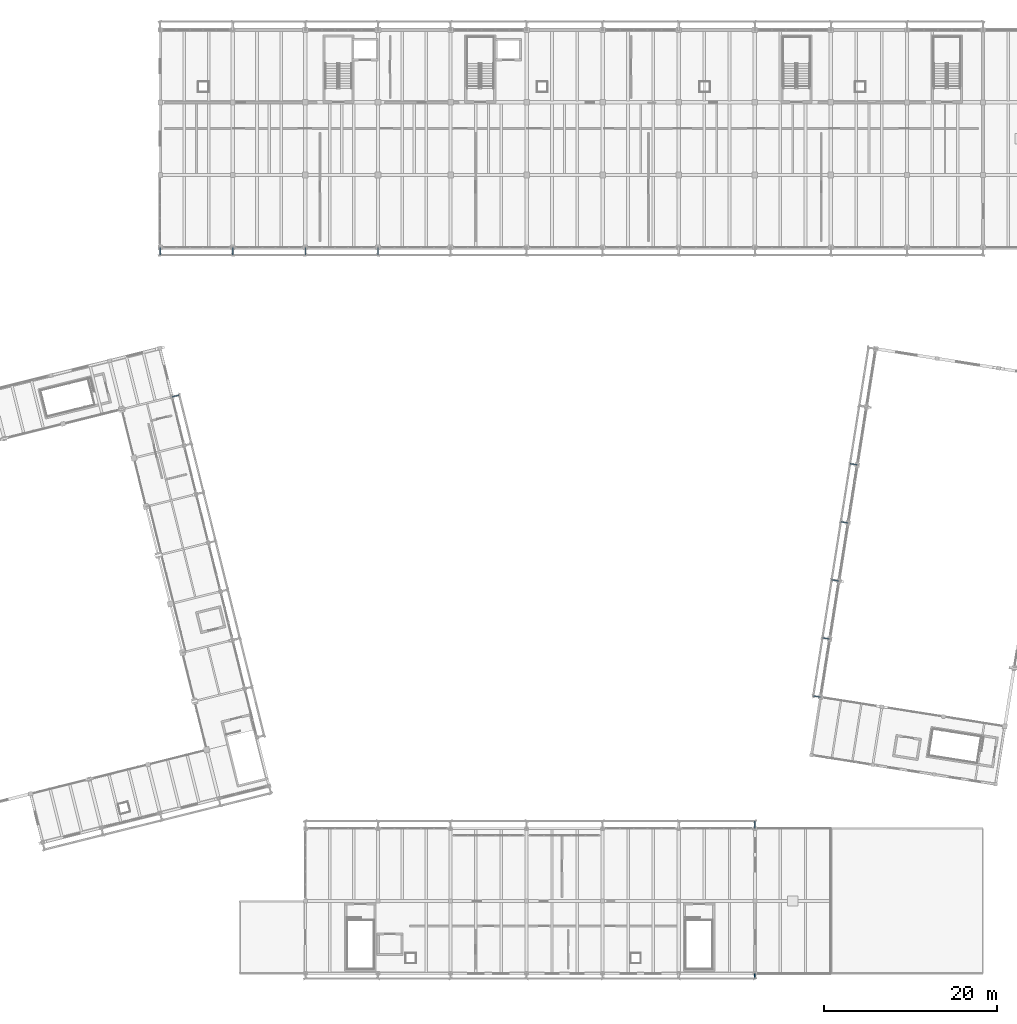
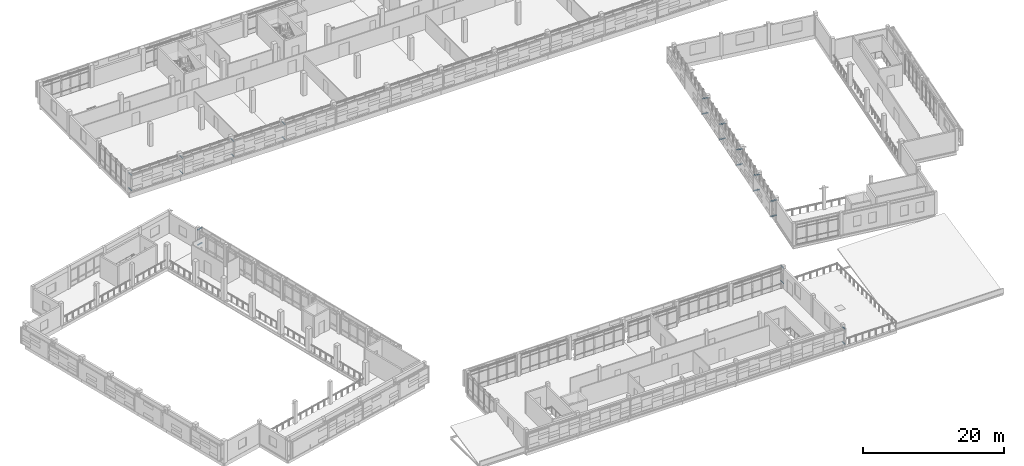
# One storey, part 80 of 117: 24 members.
"""IFC4 building model written with IfcOpenShell, lengths in metres."""

import ifcopenshell
import ifcopenshell.guid

model = None  # the IFC model being written
_history = None  # IfcOwnerHistory: only IFC2X3 demands one
_inside = {}  # id of a spatial element -> (the spatial element, [elements in it])
_under = {}  # id of a project, library or spatial element -> (it, [spatial elements below it])
_declared = {}  # id of a project -> (the project, [libraries it declares])
_typed = {}  # id of a type object -> (the type object, [elements of that type])
_made_of = {}  # id of a material, layer set ... -> (it, [elements and type objects made of it])


def new_model(schema):
    """Start an empty IFC model of exactly this schema.

    Asked for "IFC4X3", IfcOpenShell would pick the latest addendum, in which some entities
    have other attributes; the version numbers below select the first issue.
    IFC2X3 requires an IfcOwnerHistory on every rooted entity: one is made here for all.
    """
    global model, _history
    if schema == "IFC4X3":
        model = ifcopenshell.file(schema_version=(4, 3, 0, 0))
    else:
        model = ifcopenshell.file(schema=schema)
    _inside.clear()
    _under.clear()
    _declared.clear()
    _typed.clear()
    _made_of.clear()
    _history = None
    if model.schema == "IFC2X3":
        org = make("IfcOrganization", Name="unknown")
        user = make(
            "IfcPersonAndOrganization",
            ThePerson=make("IfcPerson", FamilyName="unknown"),
            TheOrganization=org,
        )
        app = make(
            "IfcApplication",
            ApplicationDeveloper=org,
            Version="unknown",
            ApplicationFullName="unknown",
            ApplicationIdentifier="unknown",
        )
        _history = make(
            "IfcOwnerHistory",
            OwningUser=user,
            OwningApplication=app,
            ChangeAction="ADDED",
            CreationDate=0,
        )
    return model


def make(cls, **values):
    """One entity of the class cls with the attributes given. An attribute that is None is left unset."""
    return model.create_entity(
        cls, **{name: value for name, value in values.items() if value is not None}
    )


def rooted(cls, **values):
    """An entity with a GlobalId (a new one), such as an element, a storey or a relation."""
    return make(cls, GlobalId=ifcopenshell.guid.new(), OwnerHistory=_history, **values)


def si_unit(unit_type, name, prefix=None):
    """IfcSIUnit, for example si_unit("LENGTHUNIT", "METRE", prefix="MILLI")."""
    return make("IfcSIUnit", UnitType=unit_type, Prefix=prefix, Name=name)


def assignment(units):
    """IfcUnitAssignment: the units of a project."""
    return None if units is None else make("IfcUnitAssignment", Units=units)


def point(xyz):
    """IfcCartesianPoint."""
    return None if xyz is None else make("IfcCartesianPoint", Coordinates=xyz)


def direction(xyz):
    """IfcDirection."""
    return None if xyz is None else make("IfcDirection", DirectionRatios=xyz)


def frame(location, z_axis=None, x_axis=None):
    """IfcAxis2Placement3D, a coordinate frame: its origin and axes. An axis left out is left unset."""
    return make(
        "IfcAxis2Placement3D",
        Location=point(location),
        Axis=direction(z_axis),
        RefDirection=direction(x_axis),
    )


def frame_2d(location, x_axis=None):
    """IfcAxis2Placement2D, a coordinate frame in the plane: its origin and x axis."""
    return make(
        "IfcAxis2Placement2D", Location=point(location), RefDirection=direction(x_axis)
    )


def origin():
    """The frame at (0, 0, 0) with its axes left unset."""
    return frame((0.0, 0.0, 0.0))


def origin_2d():
    """The frame at (0, 0) in the plane with its x axis left unset."""
    return frame_2d((0.0, 0.0))


def place(relative_to, where):
    """IfcLocalPlacement: puts the frame where relative to a parent placement (None: the world)."""
    return make(
        "IfcLocalPlacement", PlacementRelTo=relative_to, RelativePlacement=where
    )


def context(
    kind, dimensions, precision=None, world=None, true_north=None, identifier=None
):
    """IfcGeometricRepresentationContext, for example the 3D "Model" context."""
    return make(
        "IfcGeometricRepresentationContext",
        ContextIdentifier=identifier,
        ContextType=kind,
        CoordinateSpaceDimension=dimensions,
        Precision=precision,
        WorldCoordinateSystem=world,
        TrueNorth=true_north,
    )


def subcontext(parent, identifier, kind, view, scale=None):
    """IfcGeometricRepresentationSubContext, for example "Body" below "Model"."""
    return make(
        "IfcGeometricRepresentationSubContext",
        ContextIdentifier=identifier,
        ContextType=kind,
        ParentContext=parent,
        TargetScale=scale,
        TargetView=view,
    )


def project(units=None, contexts=None):
    """IfcProject with its units and contexts."""
    return rooted(
        "IfcProject",
        Name="project",
        RepresentationContexts=contexts,
        UnitsInContext=assignment(units),
    )


def spatial(cls, under=None, at=None, **own):
    """A site, building, storey or space (cls), placed at a placement, below another one or the project."""
    s = rooted(cls, ObjectPlacement=at, **own)
    if under is not None:
        _under.setdefault(under.id(), (under, []))[1].append(s)
    return s


def profile(cls, at=None, kind="AREA", **sizes):
    """A parametric profile (cls). Its sizes go by their IFC names, for example OverallWidth=200.0."""
    return make(cls, ProfileType=kind, Position=at, **sizes)


def hollow_circle(**sizes):
    """IfcCircleHollowProfileDef."""
    return profile("IfcCircleHollowProfileDef", **sizes)


def extrude(swept, where, along, depth):
    """IfcExtrudedAreaSolid: the profile swept, set in the frame where, extruded along a direction by depth."""
    return make(
        "IfcExtrudedAreaSolid",
        SweptArea=swept,
        Position=where,
        ExtrudedDirection=direction(along),
        Depth=depth,
    )


def shape(context_of_items, identifier, shape_type, items):
    """IfcShapeRepresentation: the items that make up one representation, for example the "Body"."""
    return make(
        "IfcShapeRepresentation",
        ContextOfItems=context_of_items,
        RepresentationIdentifier=identifier,
        RepresentationType=shape_type,
        Items=items,
    )


def material(Name=None, Category=None):
    """IfcMaterial."""
    return make("IfcMaterial", Name=Name, Category=Category)


def material_profile(
    of_material, cross_section, Name=None, Category=None, Priority=None
):
    """IfcMaterialProfile: a cross section and its material."""
    return make(
        "IfcMaterialProfile",
        Name=Name,
        Material=of_material,
        Profile=cross_section,
        Priority=Priority,
        Category=Category,
    )


def profile_set(profiles, Name=None, composite=None):
    """IfcMaterialProfileSet."""
    return make(
        "IfcMaterialProfileSet",
        Name=Name,
        MaterialProfiles=profiles,
        CompositeProfile=composite,
    )


def made_of(thing, what):
    """Note that an element or type object is made of a material, layer set ...; save() writes the relation."""
    if what is not None:
        _made_of.setdefault(what.id(), (what, []))[1].append(thing)
    return thing


def type_object(cls, material=None, **own):
    """A type object (cls), such as IfcWallType, which elements share."""
    return made_of(rooted(cls, **own), material)


def element(
    cls,
    number,
    at=None,
    inside=None,
    cuts=None,
    type_object=None,
    material=None,
    context=None,
    identifier="Body",
    shape_type=None,
    held_by="IfcProductDefinitionShape",
    body=None,
    shapes=None,
    **own,
):
    """One element of the class cls, such as IfcWall. Its Tag is "e" and its number.

    at: its placement. inside: the storey or other place that contains it. cuts: it is an
    opening in that element (IfcRelVoidsElement). A single representation is given by context,
    identifier, shape_type and body (its items); several are given by shapes. held_by: the class
    of the entity that holds the representations. save() writes the other relations.
    """
    e = rooted(cls, Tag="e%d" % number, ObjectPlacement=at, **own)
    if body is not None:
        shapes = [shape(context, identifier, shape_type, body)]
    if shapes is not None:
        e.Representation = make(held_by, Representations=shapes)
    if inside is not None:
        _inside.setdefault(inside.id(), (inside, []))[1].append(e)
    if cuts is not None:
        rooted(
            "IfcRelVoidsElement", RelatingBuildingElement=cuts, RelatedOpeningElement=e
        )
    if type_object is not None:
        _typed.setdefault(type_object.id(), (type_object, []))[1].append(e)
    return made_of(e, material)


def aggregate(whole, parts):
    """IfcRelAggregates: a whole, such as a stair, and the parts it consists of."""
    return rooted("IfcRelAggregates", RelatingObject=whole, RelatedObjects=parts)


def save(model, path):
    """Write the relations noted so far, then the file.

    IfcRelAggregates (storeys below a building ...), IfcRelContainedInSpatialStructure (elements
    in a storey), IfcRelDefinesByType, IfcRelAssociatesMaterial and IfcRelDeclares: one each for
    every whole, place, type object, material and project.
    """
    for whole, parts in _under.values():
        aggregate(whole, parts)
    for where, things in _inside.values():
        rooted(
            "IfcRelContainedInSpatialStructure",
            RelatedElements=things,
            RelatingStructure=where,
        )
    for kind, things in _typed.values():
        rooted("IfcRelDefinesByType", RelatedObjects=things, RelatingType=kind)
    for what, things in _made_of.values():
        rooted("IfcRelAssociatesMaterial", RelatedObjects=things, RelatingMaterial=what)
    for by, libraries in _declared.values():
        rooted("IfcRelDeclares", RelatingContext=by, RelatedDefinitions=libraries)
    model.write(path)


model = new_model("IFC4")

# Units and contexts
model_context = context("Model", 3, precision=1e-05, world=origin(), true_north=direction((0.0, 1.0)))
body_context = subcontext(model_context, "Body", "Model", "MODEL_VIEW")
ifc_project = project(units=[si_unit("LENGTHUNIT", "METRE"), si_unit("AREAUNIT", "SQUARE_METRE"), si_unit("VOLUMEUNIT", "CUBIC_METRE"), si_unit("PLANEANGLEUNIT", "RADIAN"), si_unit("MASSUNIT", "GRAM", prefix="KILO")], contexts=[model_context])

# Site, building, storey
site_placement = place(None, origin())
site = spatial("IfcSite", under=ifc_project, at=site_placement, CompositionType="ELEMENT")
building_placement = place(site_placement, origin())
building = spatial("IfcBuilding", under=site, at=building_placement, Name="Cinderway Yard Community Centre", CompositionType="ELEMENT")
storey_placement = place(building_placement, frame((0.0, 0.0, 9.0)))
storey = spatial("IfcBuildingStorey", under=building, at=storey_placement, Name="L02", CompositionType="ELEMENT", Elevation=9.0)

# Members
ifc_material = material(Name="Steel S355", Category="steel")
ifc_material_profile = material_profile(ifc_material, hollow_circle(Radius=0.06982421875, WallThickness=0.00634765625, at=origin_2d()), Name="Steel S355")
ifc_profile_set = profile_set([ifc_material_profile], Name="Steel S355")
member_type = type_object("IfcMemberType", Name="STR-MEM-STRUT-CHS140", PredefinedType="STRUT", material=ifc_profile_set)
for number, where, z_axis, x_axis, name in (
    (1, (41.60009765625, 90.0, 0.7099609375), (0.0, -1.0, 0.0), (1.0, 0.0, 0.0), "Screen outrigger strut 0225"),
    (2, (41.60009765625, 90.0, 3.340087890625), (0.0, -1.0, 0.0), (1.0, 0.0, 0.0), "Screen outrigger strut 0226"),
    (3, (50.0, 90.0, 0.7099609375), (0.0, -1.0, 0.0), (1.0, 0.0, 0.0), "Screen outrigger strut 0229"),
    (4, (50.0, 90.0, 3.340087890625), (0.0, -1.0, 0.0), (1.0, 0.0, 0.0), "Screen outrigger strut 0230"),
    (5, (58.39990234375, 90.0, 0.7099609375), (0.0, -1.0, 0.0), (1.0, 0.0, 0.0), "Screen outrigger strut 0233"),
    (6, (58.39990234375, 90.0, 3.340087890625), (0.0, -1.0, 0.0), (1.0, 0.0, 0.0), "Screen outrigger strut 0234"),
    (7, (66.800048828125, 90.0, 0.7099609375), (0.0, -1.0, 0.0), (1.0, 0.0, 0.0), "Screen outrigger strut 0237"),
    (8, (66.800048828125, 90.0, 3.340087890625), (0.0, -1.0, 0.0), (1.0, 0.0, 0.0), "Screen outrigger strut 0238"),
):
    element("IfcMember", number, at=place(storey_placement, frame(where, z_axis=z_axis, x_axis=x_axis)), inside=storey, type_object=member_type, Name=name, PredefinedType="STRUT", context=body_context, shape_type="SweptSolid", body=[
        extrude(hollow_circle(Radius=0.06982421875, WallThickness=0.00634765625, at=origin_2d()), origin(), (0.0, 0.0, 1.0), 0.85009765625),
    ])
for number, where, z_axis, x_axis, name in (
    (9, (110.39990234375, 6.0, 0.7099609375), (0.0, -1.0, 0.0), (1.0, 0.0, 0.0), "Screen outrigger strut 0377"),
    (10, (110.39990234375, 6.0, 3.340087890625), (0.0, -1.0, 0.0), (1.0, 0.0, 0.0), "Screen outrigger strut 0378"),
):
    element("IfcMember", number, at=place(storey_placement, frame(where, z_axis=z_axis, x_axis=x_axis)), inside=storey, type_object=member_type, Name=name, PredefinedType="STRUT", context=body_context, shape_type="SweptSolid", body=[
        extrude(hollow_circle(Radius=0.06982421875, WallThickness=0.00634765625, at=origin_2d()), origin(), (0.0, 0.0, 1.0), 0.550048828125),
    ])
for number, where, z_axis, x_axis, name in (
    (11, (110.39990234375, 22.800048828125, 0.7099609375), (0.0, 1.0, 0.0), (-1.0, 0.0, 0.0), "Screen outrigger strut 0405"),
    (12, (110.39990234375, 22.800048828125, 3.340087890625), (0.0, 1.0, 0.0), (-1.0, 0.0, 0.0), "Screen outrigger strut 0406"),
):
    element("IfcMember", number, at=place(storey_placement, frame(where, z_axis=z_axis, x_axis=x_axis)), inside=storey, type_object=member_type, Name=name, PredefinedType="STRUT", context=body_context, shape_type="SweptSolid", body=[
        extrude(hollow_circle(Radius=0.06982421875, WallThickness=0.00634765625, at=origin_2d()), origin(), (0.0, 0.0, 1.0), 0.849853515625),
    ])
for number, where, z_axis, x_axis, name in (
    (13, (42.97705078125, 72.736083984375, 0.7099609375), (0.970260620758, 0.242062652648, 0.0), (-0.242062652648, 0.970260620758, 0.0), "Screen outrigger strut 0553"),
    (14, (42.97705078125, 72.736083984375, 3.340087890625), (0.970260620758, 0.242062652648, 0.0), (-0.242062652648, 0.970260620758, 0.0), "Screen outrigger strut 0554"),
):
    element("IfcMember", number, at=place(storey_placement, frame(where, z_axis=z_axis, x_axis=x_axis)), inside=storey, type_object=member_type, Name=name, PredefinedType="STRUT", context=body_context, shape_type="SweptSolid", body=[
        extrude(hollow_circle(Radius=0.06982421875, WallThickness=0.00634765625, at=origin_2d()), origin(), (0.0, 0.0, 1.0), 0.850341796875),
    ])
for number, where, z_axis, x_axis, name in (
    (15, (118.0, 38.0, 0.7099609375), (-0.987688378698, 0.156434224467, 0.0), (-0.156434224467, -0.987688378698, 0.0), "Screen outrigger strut 0625"),
    (16, (118.0, 38.0, 3.340087890625), (-0.987688378698, 0.156434224467, 0.0), (-0.156434224467, -0.987688378698, 0.0), "Screen outrigger strut 0626"),
):
    element("IfcMember", number, at=place(storey_placement, frame(where, z_axis=z_axis, x_axis=x_axis)), inside=storey, type_object=member_type, Name=name, PredefinedType="STRUT", context=body_context, shape_type="SweptSolid", body=[
        extrude(hollow_circle(Radius=0.06982421875, WallThickness=0.00634765625, at=origin_2d()), origin(), (0.0, 0.0, 1.0), 0.8505859375),
    ])
for number, where, z_axis, x_axis, name in (
    (17, (119.06396484375, 44.716064453125, 0.7099609375), (-0.987681351478, 0.156478586208, 0.0), (-0.156478586208, -0.987681351478, 0.0), "Screen outrigger strut 0629"),
    (18, (119.06396484375, 44.716064453125, 3.340087890625), (-0.987681351478, 0.156478586208, 0.0), (-0.156478586208, -0.987681351478, 0.0), "Screen outrigger strut 0630"),
    (19, (120.1279296875, 51.43310546875, 0.7099609375), (-0.987725687917, 0.15619848088, 0.0), (-0.15619848088, -0.987725687917, 0.0), "Screen outrigger strut 0633"),
    (20, (120.1279296875, 51.43310546875, 3.340087890625), (-0.987725687917, 0.15619848088, 0.0), (-0.15619848088, -0.987725687917, 0.0), "Screen outrigger strut 0634"),
    (21, (121.19091796875, 58.14892578125, 0.7099609375), (-0.987681351478, 0.156478586208, 0.0), (-0.156478586208, -0.987681351478, 0.0), "Screen outrigger strut 0637"),
    (22, (121.19091796875, 58.14892578125, 3.340087890625), (-0.987681351478, 0.156478586208, 0.0), (-0.156478586208, -0.987681351478, 0.0), "Screen outrigger strut 0638"),
    (23, (122.2548828125, 64.864990234375, 0.7099609375), (-0.987681351478, 0.156478586208, 0.0), (-0.156478586208, -0.987681351478, 0.0), "Screen outrigger strut 0641"),
    (24, (122.2548828125, 64.864990234375, 3.340087890625), (-0.987681351478, 0.156478586208, 0.0), (-0.156478586208, -0.987681351478, 0.0), "Screen outrigger strut 0642"),
):
    element("IfcMember", number, at=place(storey_placement, frame(where, z_axis=z_axis, x_axis=x_axis)), inside=storey, type_object=member_type, Name=name, PredefinedType="STRUT", context=body_context, shape_type="SweptSolid", body=[
        extrude(hollow_circle(Radius=0.06982421875, WallThickness=0.00634765625, at=origin_2d()), origin(), (0.0, 0.0, 1.0), 0.850341796875),
    ])

save(model, "model.ifc")
